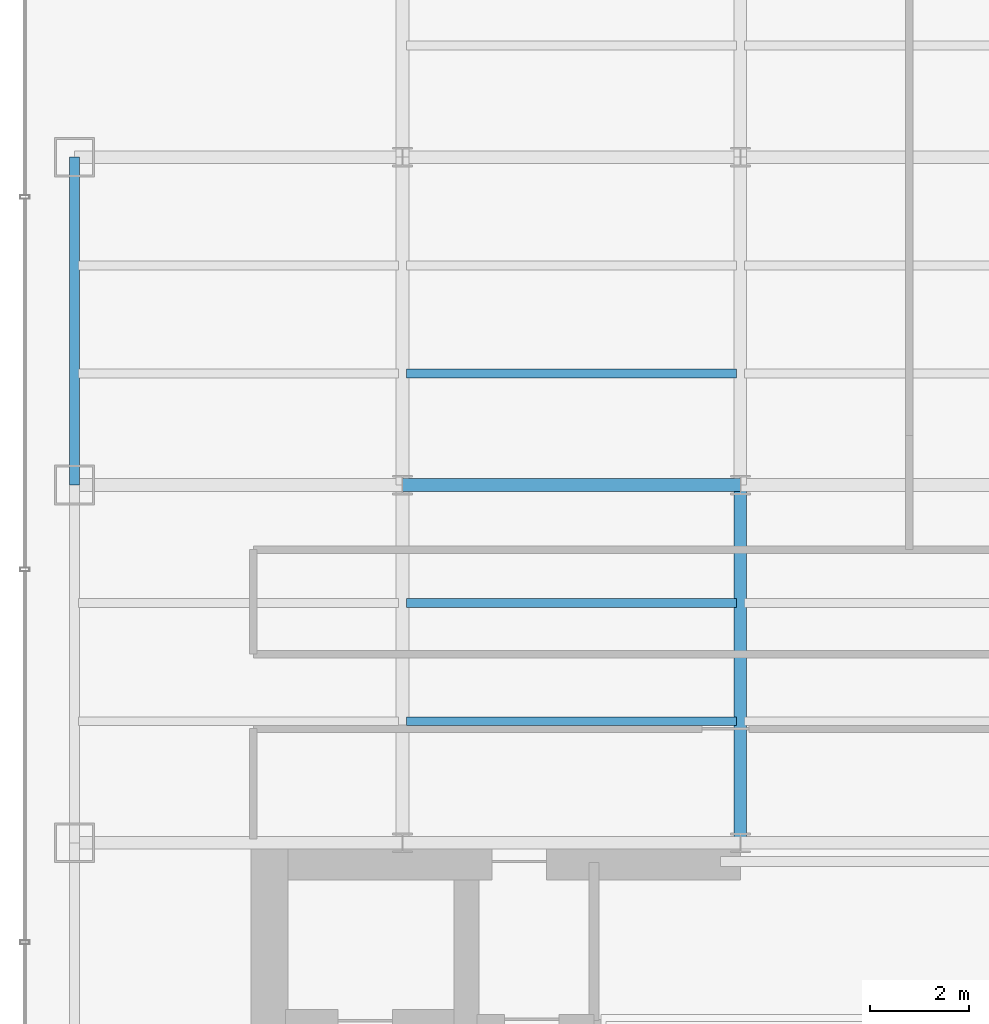
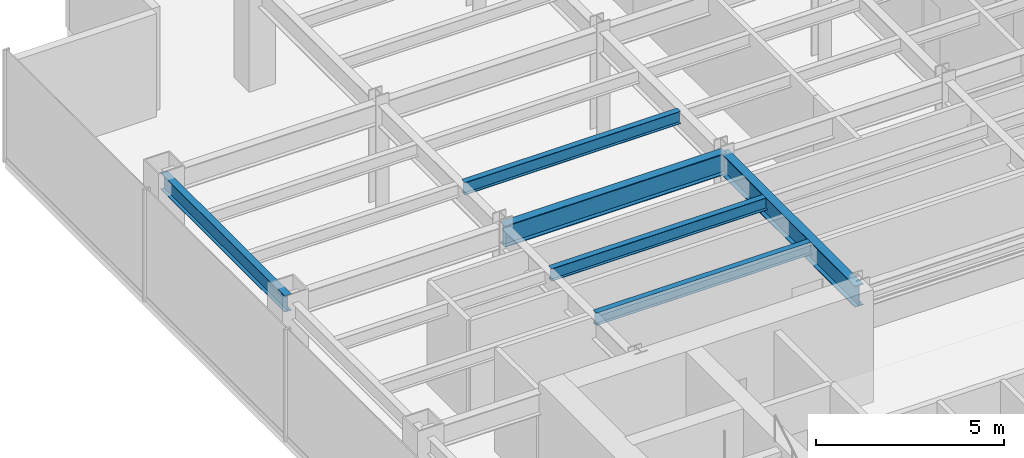
# One storey, part 5 of 26: 6 beams.
"""IFC4 building model written with IfcOpenShell, lengths in metres."""

from ifc_helpers import new_model, si_unit, derived_unit, direction, frame, origin, origin_2d, place, context, subcontext, project, spatial, i_section, extrude, source, transform, mapped, material, material_profile, profile_set, type_object, element, save


model = new_model("IFC4")

# Units and contexts
model_context = context("Model", 3, precision=1e-05, world=origin(), true_north=direction((0.0, 1.0)))
body_context = subcontext(model_context, "Body", "Model", "MODEL_VIEW")
ifc_project = project(units=[si_unit("LENGTHUNIT", "METRE"), si_unit("AREAUNIT", "SQUARE_METRE"), si_unit("VOLUMEUNIT", "CUBIC_METRE"), si_unit("PLANEANGLEUNIT", "RADIAN"), si_unit("MASSUNIT", "GRAM", prefix="KILO"), derived_unit("THERMALTRANSMITTANCEUNIT", [(si_unit("POWERUNIT", "WATT"), 1), (si_unit("LENGTHUNIT", "METRE"), -2), (si_unit("THERMODYNAMICTEMPERATUREUNIT", "KELVIN"), -1)])], contexts=[model_context])

# Site, building, storey
site_placement = place(None, origin())
site = spatial("IfcSite", under=ifc_project, at=site_placement, CompositionType="ELEMENT")
building_placement = place(site_placement, origin())
building = spatial("IfcBuilding", under=site, at=building_placement, Name="Skarnbrae Concourse Arena and Tower", CompositionType="ELEMENT")
storey_placement = place(building_placement, frame((0.0, 0.0, 132.449951171875)))
storey = spatial("IfcBuildingStorey", under=building, at=storey_placement, Name="L33", CompositionType="ELEMENT", Elevation=132.449951171875)

# Beams
ifc_material = material(Name="Steel CSA G40.21 350W", Category="steel")
ifc_material_profile_1 = material_profile(ifc_material, i_section(OverallWidth=0.256103515625, OverallDepth=0.693115234375, WebThickness=0.014404296875, FlangeThickness=0.023681640625, at=origin_2d()), Name="W690X170")
ifc_profile_set_1 = profile_set([ifc_material_profile_1], Name="Steel CSA G40.21 350W")
beam_type_1 = type_object("IfcBeamType", Name="BM-GIRD-W690X170", PredefinedType="BEAM", material=ifc_profile_set_1)
shared_shape_1 = source(origin(), body_context, "Body", "SweptSolid", [
    extrude(i_section(OverallWidth=0.256103515625, OverallDepth=0.693115234375, WebThickness=0.014404296875, FlangeThickness=0.023681640625, at=origin_2d()), origin(), (0.0, 0.0, 1.0), 6.7998046875),
])
beam_1_placement = place(storey_placement, frame((7.60009765625, 21.199951171875, 3.003662109375), z_axis=(1.0, 0.0, 0.0), x_axis=(0.0, 1.0, 0.0)))
element("IfcBeam", 1, at=beam_1_placement, inside=storey, type_object=beam_type_1, Name="L33 Primary E-W girder Y21.2-2", PredefinedType="BEAM", context=body_context, shape_type="MappedRepresentation", body=[
    mapped(shared_shape_1, transform((0.0, 0.0, 0.0))),
])
ifc_material_profile_2 = material_profile(ifc_material, i_section(OverallWidth=0.208984375, OverallDepth=0.532958984375, WebThickness=0.01025390625, FlangeThickness=0.015625, at=origin_2d()), Name="W530X92")
ifc_profile_set_2 = profile_set([ifc_material_profile_2], Name="Steel CSA G40.21 350W")
beam_type_2 = type_object("IfcBeamType", Name="BM-SPAN-W530X92", PredefinedType="SPANDREL", material=ifc_profile_set_2)
shared_shape_2 = source(origin(), body_context, "Body", "SweptSolid", [
    extrude(i_section(OverallWidth=0.208984375, OverallDepth=0.532958984375, WebThickness=0.01025390625, FlangeThickness=0.015625, at=origin_2d()), origin(), (0.0, 0.0, 1.0), 6.60009765625),
])
beam_2_placement = place(storey_placement, frame((1.0, 21.199951171875, 3.08349609375), z_axis=(0.0, 1.0, 0.0), x_axis=(-1.0, 0.0, 0.0)))
element("IfcBeam", 2, at=beam_2_placement, inside=storey, type_object=beam_type_2, Name="L33 Perimeter spandrel X1.0-3", PredefinedType="SPANDREL", context=body_context, shape_type="MappedRepresentation", body=[
    mapped(shared_shape_2, transform((0.0, 0.0, 0.0))),
])
shared_shape_3 = source(origin(), body_context, "Body", "SweptSolid", [
    extrude(i_section(OverallWidth=0.256103515625, OverallDepth=0.693115234375, WebThickness=0.014404296875, FlangeThickness=0.023681640625, at=origin_2d()), origin(), (0.0, 0.0, 1.0), 7.199951171875),
])
beam_3_placement = place(storey_placement, frame((14.39990234375, 14.0, 3.003662109375), z_axis=(0.0, 1.0, 0.0), x_axis=(-1.0, 0.0, 0.0)))
element("IfcBeam", 3, at=beam_3_placement, inside=storey, type_object=beam_type_1, Name="L33 Primary N-S girder X14.4-1", PredefinedType="BEAM", context=body_context, shape_type="MappedRepresentation", body=[
    mapped(shared_shape_3, transform((0.0, 0.0, 0.0))),
])
ifc_material_profile_3 = material_profile(ifc_material, i_section(OverallWidth=0.177978515625, OverallDepth=0.406982421875, WebThickness=0.0078125, FlangeThickness=0.0126953125, at=origin_2d()), Name="W410X60")
ifc_profile_set_3 = profile_set([ifc_material_profile_3], Name="Steel CSA G40.21 350W")
beam_type_3 = type_object("IfcBeamType", Name="BM-JOIST-W410X60", PredefinedType="JOIST", material=ifc_profile_set_3)
shared_shape_4 = source(origin(), body_context, "Body", "SweptSolid", [
    extrude(i_section(OverallWidth=0.177978515625, OverallDepth=0.406982421875, WebThickness=0.0078125, FlangeThickness=0.0126953125, at=origin_2d()), origin(), (0.0, 0.0, 1.0), 6.64013671875),
])
for number, where, z_axis, x_axis, name in (
    (4, (7.679931640625, 16.447998046875, 3.146484375), (1.0, 0.0, 0.0), (0.0, 1.0, 0.0), "L33 Secondary floor joist 1.1.2"),
    (5, (7.679931640625, 18.823974609375, 3.146484375), (1.0, 0.0, 0.0), (0.0, 1.0, 0.0), "L33 Secondary floor joist 1.2.2"),
    (6, (7.679931640625, 23.444091796875, 3.146484375), (1.0, 0.0, 0.0), (0.0, 1.0, 0.0), "L33 Secondary floor joist 2.1.2"),
):
    element("IfcBeam", number, at=place(storey_placement, frame(where, z_axis=z_axis, x_axis=x_axis)), inside=storey, type_object=beam_type_3, Name=name, PredefinedType="JOIST", context=body_context, shape_type="MappedRepresentation", body=[
        mapped(shared_shape_4, transform((0.0, 0.0, 0.0))),
    ])

save(model, "model.ifc")
